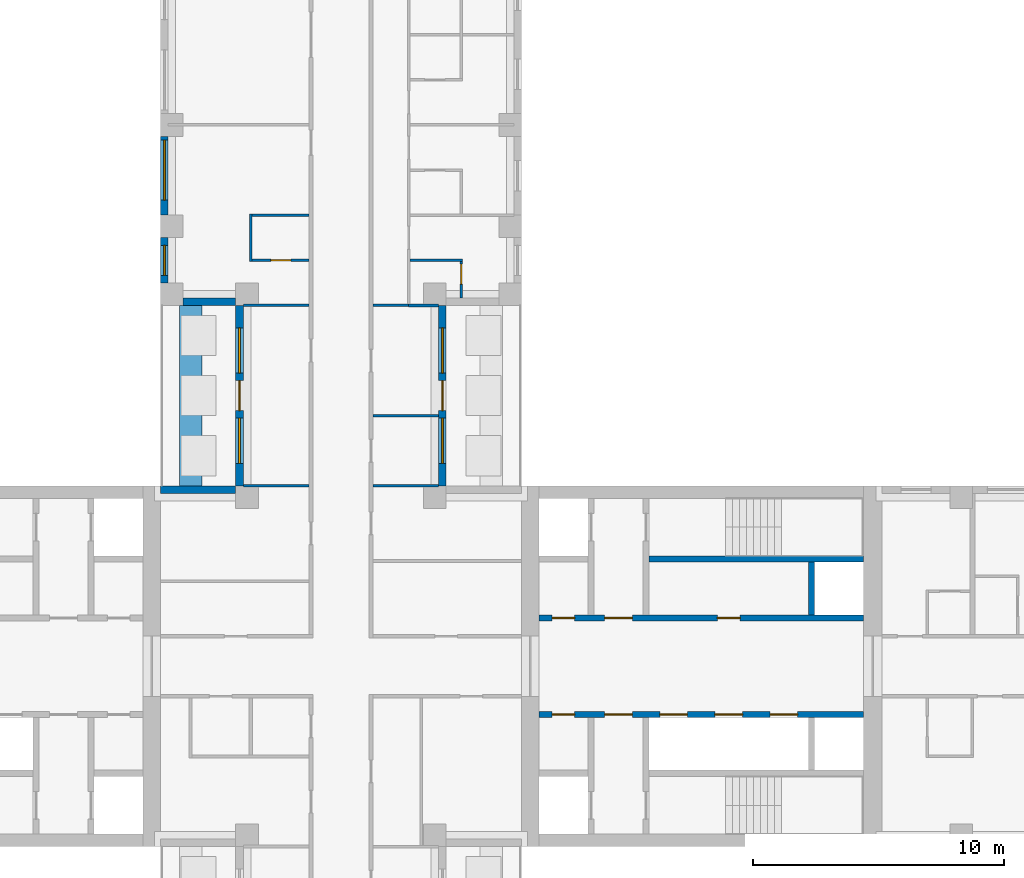
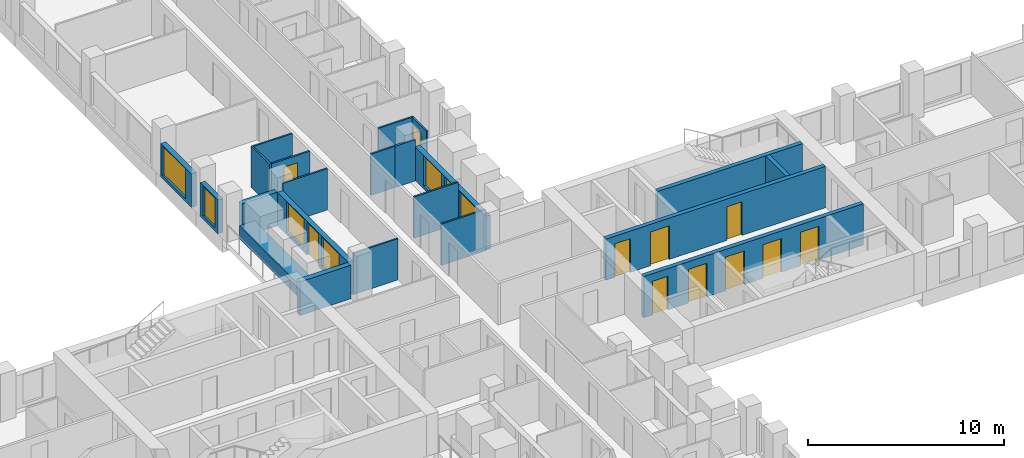
# One storey, part 8 of 15: 22 walls, 12 doors, 6 windows, 18 openings.
"""IFC4 building model written with IfcOpenShell, lengths in metres."""

from ifc_helpers import new_model, si_unit, direction, frame, frame_2d, origin, place, context, subcontext, project, spatial, rectangle, extrude, material, layer, layer_set, type_object, element, fill, save


model = new_model("IFC4")

# Units and contexts
model_context = context("Model", 3, precision=1e-05, world=origin(), true_north=direction((0.0, 1.0)))
body_context = subcontext(model_context, "Body", "Model", "MODEL_VIEW")
ifc_project = project(units=[si_unit("LENGTHUNIT", "METRE"), si_unit("AREAUNIT", "SQUARE_METRE"), si_unit("VOLUMEUNIT", "CUBIC_METRE"), si_unit("PLANEANGLEUNIT", "RADIAN"), si_unit("MASSUNIT", "GRAM", prefix="KILO")], contexts=[model_context])

# Site, building, storey
site_placement = place(None, origin())
site = spatial("IfcSite", under=ifc_project, at=site_placement, CompositionType="ELEMENT")
building_placement = place(site_placement, origin())
building = spatial("IfcBuilding", under=site, at=building_placement, Name="Fustian Cross Tower", CompositionType="ELEMENT")
storey_placement = place(building_placement, frame((0.0, 0.0, 41.699951171875)))
storey = spatial("IfcBuildingStorey", under=building, at=storey_placement, Name="L12", CompositionType="ELEMENT", Elevation=41.699951171875)

# Wall, openings, doors
ifc_material_1 = material(Name="Concrete C50/60", Category="concrete")
ifc_layer_1 = layer(ifc_material_1, 0.25)
ifc_layer_set_1 = layer_set([ifc_layer_1], Name="Concrete C50/60")
wall_type_1 = type_object("IfcWallType", Name="CORE LOBBY WALL 250 C50/60", PredefinedType="SHEAR", material=ifc_layer_set_1)
wall_1_placement = place(storey_placement, frame((7.89990234375, 1.925048828125, 0.0), z_axis=(0.0, 0.0, 1.0), x_axis=(1.0, 0.0, 0.0)))
wall_1 = element("IfcWall", 1, at=wall_1_placement, inside=storey, type_object=wall_type_1, Name="Core lobby wall", PredefinedType="SHEAR", context=body_context, shape_type="SweptSolid", body=[
    extrude(rectangle(XDim=12.9501953125, YDim=0.25, at=frame_2d((6.47509765625, 0.0))), origin(), (0.0, 0.0, 1.0), 2.574951171875),
])
opening_1_placement = place(wall_1_placement, frame((0.52490234375, 0.0, 0.0)))
opening_1 = element("IfcOpeningElement", 2, at=opening_1_placement, cuts=wall_1, Name="Opening CD-04-08", PredefinedType="OPENING", context=body_context, shape_type="SweptSolid", body=[
    extrude(rectangle(XDim=0.89990234375, YDim=2.10009765625, at=frame_2d((0.449951171875, 1.050048828125))), frame((0.0, 0.135009765625, 0.0), z_axis=(0.0, -1.0, 0.0), x_axis=(1.0, 0.0, 0.0)), (0.0, 0.0, 1.0), 0.27001953125),
])
opening_2_placement = place(wall_1_placement, frame((2.625, 0.0, 0.0)))
opening_2 = element("IfcOpeningElement", 3, at=opening_2_placement, cuts=wall_1, Name="Opening CD-04-10", PredefinedType="OPENING", context=body_context, shape_type="SweptSolid", body=[
    extrude(rectangle(XDim=1.10009765625, YDim=2.10009765625, at=frame_2d((0.550048828125, 1.050048828125))), frame((0.0, 0.135009765625, 0.0), z_axis=(0.0, -1.0, 0.0), x_axis=(1.0, 0.0, 0.0)), (0.0, 0.0, 1.0), 0.27001953125),
])
opening_3_placement = place(wall_1_placement, frame((7.125, 0.0, 0.0)))
opening_3 = element("IfcOpeningElement", 4, at=opening_3_placement, cuts=wall_1, Name="Opening CD-04-14", PredefinedType="OPENING", context=body_context, shape_type="SweptSolid", body=[
    extrude(rectangle(XDim=0.89990234375, YDim=2.10009765625, at=frame_2d((0.449951171875, 1.050048828125))), frame((0.0, 0.135009765625, 0.0), z_axis=(0.0, -1.0, 0.0), x_axis=(1.0, 0.0, 0.0)), (0.0, 0.0, 1.0), 0.27001953125),
])
ifc_material_2 = material(Name="Steel", Category="steel")
door_type_1 = type_object("IfcDoorType", Name="FIRE DOOR FD30S 900X2100", OperationType="SINGLE_SWING_LEFT", PredefinedType="DOOR", material=ifc_material_2)
door_1_placement = place(opening_3_placement, origin())
door_1 = element("IfcDoor", 5, at=door_1_placement, inside=storey, type_object=door_type_1, Name="Core door CD-04-14", OperationType="SINGLE_SWING_LEFT", OverallHeight=2.10009765625, OverallWidth=0.89990234375, PredefinedType="DOOR", context=body_context, shape_type="SweptSolid", body=[
    extrude(rectangle(XDim=0.89990234375, YDim=2.10009765625, at=frame_2d((0.449951171875, 1.050048828125))), frame((0.0, 0.02490234375, 0.0), z_axis=(0.0, -1.0, 0.0), x_axis=(1.0, 0.0, 0.0)), (0.0, 0.0, 1.0), 0.050048828125),
])
fill(opening_3, door_1)
ifc_material_3 = material(Name="Steel", Category="steel")
door_type_2 = type_object("IfcDoorType", Name="FIRE DOOR FD60S 1100X2100", OperationType="SINGLE_SWING_LEFT", PredefinedType="DOOR", material=ifc_material_3)
door_2_placement = place(opening_2_placement, frame((1.10009765625, 0.0, 0.0), z_axis=(0.0, 0.0, 1.0), x_axis=(-1.0, 0.0, 0.0)))
door_2 = element("IfcDoor", 6, at=door_2_placement, inside=storey, type_object=door_type_2, Name="Core door CD-04-10", OperationType="SINGLE_SWING_RIGHT", OverallHeight=2.10009765625, OverallWidth=1.10009765625, PredefinedType="DOOR", context=body_context, shape_type="SweptSolid", body=[
    extrude(rectangle(XDim=1.10009765625, YDim=2.10009765625, at=frame_2d((0.550048828125, 1.050048828125))), frame((0.0, 0.02490234375, 0.0), z_axis=(0.0, -1.0, 0.0), x_axis=(1.0, 0.0, 0.0)), (0.0, 0.0, 1.0), 0.050048828125),
])
fill(opening_2, door_2)
ifc_material_4 = material(Name="Steel", Category="steel")
door_type_3 = type_object("IfcDoorType", Name="FIRE DOOR FD60S 900X2100", OperationType="SINGLE_SWING_LEFT", PredefinedType="DOOR", material=ifc_material_4)
door_3_placement = place(opening_1_placement, origin())
door_3 = element("IfcDoor", 7, at=door_3_placement, inside=storey, type_object=door_type_3, Name="Core door CD-04-08", OperationType="SINGLE_SWING_LEFT", OverallHeight=2.10009765625, OverallWidth=0.89990234375, PredefinedType="DOOR", context=body_context, shape_type="SweptSolid", body=[
    extrude(rectangle(XDim=0.89990234375, YDim=2.10009765625, at=frame_2d((0.449951171875, 1.050048828125))), frame((0.0, 0.02490234375, 0.0), z_axis=(0.0, -1.0, 0.0), x_axis=(1.0, 0.0, 0.0)), (0.0, 0.0, 1.0), 0.050048828125),
])
fill(opening_1, door_3)

wall_2_placement = place(storey_placement, frame((7.89990234375, -1.925048828125, 0.0), z_axis=(0.0, 0.0, 1.0), x_axis=(1.0, 0.0, 0.0)))
wall_2 = element("IfcWall", 8, at=wall_2_placement, inside=storey, type_object=wall_type_1, Name="Core lobby wall", PredefinedType="SHEAR", context=body_context, shape_type="SweptSolid", body=[
    extrude(rectangle(XDim=12.9501953125, YDim=0.25, at=frame_2d((6.47509765625, 0.0))), origin(), (0.0, 0.0, 1.0), 2.574951171875),
])
opening_4_placement = place(wall_2_placement, frame((4.824951171875, 0.0, 0.0)))
opening_4 = element("IfcOpeningElement", 9, at=opening_4_placement, cuts=wall_2, Name="Opening LD", PredefinedType="OPENING", context=body_context, shape_type="SweptSolid", body=[
    extrude(rectangle(XDim=1.10009765625, YDim=2.10009765625, at=frame_2d((0.550048828125, 1.050048828125))), frame((0.0, 0.135009765625, 0.0), z_axis=(0.0, -1.0, 0.0), x_axis=(1.0, 0.0, 0.0)), (0.0, 0.0, 1.0), 0.27001953125),
])
opening_5_placement = place(wall_2_placement, frame((7.02490234375, 0.0, 0.0)))
opening_5 = element("IfcOpeningElement", 10, at=opening_5_placement, cuts=wall_2, Name="Opening LD", PredefinedType="OPENING", context=body_context, shape_type="SweptSolid", body=[
    extrude(rectangle(XDim=1.10009765625, YDim=2.10009765625, at=frame_2d((0.550048828125, 1.050048828125))), frame((0.0, 0.135009765625, 0.0), z_axis=(0.0, -1.0, 0.0), x_axis=(1.0, 0.0, 0.0)), (0.0, 0.0, 1.0), 0.27001953125),
])
opening_6_placement = place(wall_2_placement, frame((9.22509765625, 0.0, 0.0)))
opening_6 = element("IfcOpeningElement", 11, at=opening_6_placement, cuts=wall_2, Name="Opening LD", PredefinedType="OPENING", context=body_context, shape_type="SweptSolid", body=[
    extrude(rectangle(XDim=1.10009765625, YDim=2.10009765625, at=frame_2d((0.550048828125, 1.050048828125))), frame((0.0, 0.135009765625, 0.0), z_axis=(0.0, -1.0, 0.0), x_axis=(1.0, 0.0, 0.0)), (0.0, 0.0, 1.0), 0.27001953125),
])
opening_7_placement = place(wall_2_placement, frame((0.52490234375, 0.0, 0.0)))
opening_7 = element("IfcOpeningElement", 12, at=opening_7_placement, cuts=wall_2, Name="Opening CD-04-09", PredefinedType="OPENING", context=body_context, shape_type="SweptSolid", body=[
    extrude(rectangle(XDim=0.89990234375, YDim=2.10009765625, at=frame_2d((0.449951171875, 1.050048828125))), frame((0.0, 0.135009765625, 0.0), z_axis=(0.0, -1.0, 0.0), x_axis=(1.0, 0.0, 0.0)), (0.0, 0.0, 1.0), 0.27001953125),
])
opening_8_placement = place(wall_2_placement, frame((2.625, 0.0, 0.0)))
opening_8 = element("IfcOpeningElement", 13, at=opening_8_placement, cuts=wall_2, Name="Opening CD-04-11", PredefinedType="OPENING", context=body_context, shape_type="SweptSolid", body=[
    extrude(rectangle(XDim=1.10009765625, YDim=2.10009765625, at=frame_2d((0.550048828125, 1.050048828125))), frame((0.0, 0.135009765625, 0.0), z_axis=(0.0, -1.0, 0.0), x_axis=(1.0, 0.0, 0.0)), (0.0, 0.0, 1.0), 0.27001953125),
])
ifc_material_5 = material(Name="Steel", Category="steel")
door_type_4 = type_object("IfcDoorType", Name="FIRE DOOR FD30S 1100X2100", OperationType="SINGLE_SWING_LEFT", PredefinedType="DOOR", material=ifc_material_5)
door_4_placement = place(opening_8_placement, frame((1.10009765625, 0.0, 0.0), z_axis=(0.0, 0.0, 1.0), x_axis=(-1.0, 0.0, 0.0)))
door_4 = element("IfcDoor", 14, at=door_4_placement, inside=storey, type_object=door_type_4, Name="Core door CD-04-11", OperationType="SINGLE_SWING_RIGHT", OverallHeight=2.10009765625, OverallWidth=1.10009765625, PredefinedType="DOOR", context=body_context, shape_type="SweptSolid", body=[
    extrude(rectangle(XDim=1.10009765625, YDim=2.10009765625, at=frame_2d((0.550048828125, 1.050048828125))), frame((0.0, 0.02490234375, 0.0), z_axis=(0.0, -1.0, 0.0), x_axis=(1.0, 0.0, 0.0)), (0.0, 0.0, 1.0), 0.050048828125),
])
fill(opening_8, door_4)
door_5_placement = place(opening_7_placement, frame((0.89990234375, 0.0, 0.0), z_axis=(0.0, 0.0, 1.0), x_axis=(-1.0, 0.0, 0.0)))
door_5 = element("IfcDoor", 15, at=door_5_placement, inside=storey, type_object=door_type_1, Name="Core door CD-04-09", OperationType="SINGLE_SWING_RIGHT", OverallHeight=2.10009765625, OverallWidth=0.89990234375, PredefinedType="DOOR", context=body_context, shape_type="SweptSolid", body=[
    extrude(rectangle(XDim=0.89990234375, YDim=2.10009765625, at=frame_2d((0.449951171875, 1.050048828125))), frame((0.0, 0.02490234375, 0.0), z_axis=(0.0, -1.0, 0.0), x_axis=(1.0, 0.0, 0.0)), (0.0, 0.0, 1.0), 0.050048828125),
])
fill(opening_7, door_5)
ifc_material_6 = material(Name="Stainless steel", Category="steel")
door_type_5 = type_object("IfcDoorType", Name="LIFT LANDING DOOR 1100X2100", OperationType="SLIDING_TO_LEFT", PredefinedType="DOOR", material=ifc_material_6)
door_6_placement = place(opening_4_placement, origin())
door_6 = element("IfcDoor", 16, at=door_6_placement, inside=storey, type_object=door_type_5, Name="Landing door LR1", OperationType="SLIDING_TO_LEFT", OverallHeight=2.10009765625, OverallWidth=1.10009765625, PredefinedType="DOOR", context=body_context, shape_type="SweptSolid", body=[
    extrude(rectangle(XDim=1.10009765625, YDim=2.10009765625, at=frame_2d((0.550048828125, 1.050048828125))), frame((0.0, 0.02490234375, 0.0), z_axis=(0.0, -1.0, 0.0), x_axis=(1.0, 0.0, 0.0)), (0.0, 0.0, 1.0), 0.050048828125),
])
fill(opening_4, door_6)
door_7_placement = place(opening_5_placement, origin())
door_7 = element("IfcDoor", 17, at=door_7_placement, inside=storey, type_object=door_type_5, Name="Landing door LR2", OperationType="SLIDING_TO_LEFT", OverallHeight=2.10009765625, OverallWidth=1.10009765625, PredefinedType="DOOR", context=body_context, shape_type="SweptSolid", body=[
    extrude(rectangle(XDim=1.10009765625, YDim=2.10009765625, at=frame_2d((0.550048828125, 1.050048828125))), frame((0.0, 0.02490234375, 0.0), z_axis=(0.0, -1.0, 0.0), x_axis=(1.0, 0.0, 0.0)), (0.0, 0.0, 1.0), 0.050048828125),
])
fill(opening_5, door_7)
door_8_placement = place(opening_6_placement, origin())
door_8 = element("IfcDoor", 18, at=door_8_placement, inside=storey, type_object=door_type_5, Name="Landing door LR3", OperationType="SLIDING_TO_LEFT", OverallHeight=2.10009765625, OverallWidth=1.10009765625, PredefinedType="DOOR", context=body_context, shape_type="SweptSolid", body=[
    extrude(rectangle(XDim=1.10009765625, YDim=2.10009765625, at=frame_2d((0.550048828125, 1.050048828125))), frame((0.0, 0.02490234375, 0.0), z_axis=(0.0, -1.0, 0.0), x_axis=(1.0, 0.0, 0.0)), (0.0, 0.0, 1.0), 0.050048828125),
])
fill(opening_6, door_8)

# Walls
ifc_material_7 = material(Name="Concrete C50/60", Category="concrete")
ifc_layer_2 = layer(ifc_material_7, 0.25)
ifc_layer_set_2 = layer_set([ifc_layer_2], Name="Concrete C50/60")
wall_type_2 = type_object("IfcWallType", Name="CORE SHAFT WALL 250 C50/60", PredefinedType="SHEAR", material=ifc_layer_set_2)
wall_3_placement = place(storey_placement, frame((12.300048828125, 4.27490234375, 0.0), z_axis=(0.0, 0.0, 1.0), x_axis=(1.0, 0.0, 0.0)))
element("IfcWall", 19, at=wall_3_placement, inside=storey, type_object=wall_type_2, Name="Core shaft wall", PredefinedType="SHEAR", context=body_context, shape_type="SweptSolid", body=[
    extrude(rectangle(XDim=8.550048828125, YDim=0.25, at=frame_2d((4.27490234375, 0.0))), origin(), (0.0, 0.0, 1.0), 2.574951171875),
])
ifc_material_8 = material(Name="Plasterboard on steel stud", Category="steel")
ifc_layer_3 = layer(ifc_material_8, 0.10009765625)
ifc_layer_set_3 = layer_set([ifc_layer_3], Name="Plasterboard on steel stud")
wall_type_3 = type_object("IfcWallType", Name="PARTITION 100 STUD", PredefinedType="PARTITIONING", material=ifc_layer_set_3)
for number, where, z_axis, x_axis, name in (
    (20, (-3.89990234375, 7.199951171875, 0.0), (0.0, 0.0, 1.0), (1.0, 0.0, 0.0), "Partition 27"),
    (21, (-3.89990234375, 14.39990234375, 0.0), (0.0, 0.0, 1.0), (1.0, 0.0, 0.0), "Partition 28"),
):
    element("IfcWall", number, at=place(storey_placement, frame(where, z_axis=z_axis, x_axis=x_axis)), inside=storey, type_object=wall_type_3, Name=name, PredefinedType="PARTITIONING", context=body_context, shape_type="SweptSolid", body=[
        extrude(rectangle(XDim=2.625, YDim=0.10009765625, at=frame_2d((1.3125, 0.0))), origin(), (0.0, 0.0, 1.0), 2.574951171875),
    ])
wall_4_placement = place(storey_placement, frame((-3.60009765625, 16.14990234375, 0.0), z_axis=(0.0, 0.0, 1.0), x_axis=(0.0, 1.0, 0.0)))
element("IfcWall", 22, at=wall_4_placement, inside=storey, type_object=wall_type_3, Name="Partition 33", PredefinedType="PARTITIONING", context=body_context, shape_type="SweptSolid", body=[
    extrude(rectangle(XDim=1.900146484375, YDim=0.10009765625, at=frame_2d((0.9501953125, 0.0))), origin(), (0.0, 0.0, 1.0), 2.574951171875),
])

# Wall, opening, door
wall_5_placement = place(storey_placement, frame((-3.550048828125, 16.199951171875, 0.0), z_axis=(0.0, 0.0, 1.0), x_axis=(1.0, 0.0, 0.0)))
wall_5 = element("IfcWall", 23, at=wall_5_placement, inside=storey, type_object=wall_type_3, Name="Partition 34", PredefinedType="PARTITIONING", context=body_context, shape_type="SweptSolid", body=[
    extrude(rectangle(XDim=2.275146484375, YDim=0.10009765625, at=frame_2d((1.1376953125, 0.0))), origin(), (0.0, 0.0, 1.0), 2.574951171875),
])
opening_9_placement = place(wall_5_placement, frame((0.75, 0.0, 0.0)))
opening_9 = element("IfcOpeningElement", 24, at=opening_9_placement, cuts=wall_5, Name="Opening D07021", PredefinedType="OPENING", context=body_context, shape_type="SweptSolid", body=[
    extrude(rectangle(XDim=0.800048828125, YDim=2.10009765625, at=frame_2d((0.39990234375, 1.050048828125))), frame((0.0, 0.06005859375, 0.0), z_axis=(0.0, -1.0, 0.0), x_axis=(1.0, 0.0, 0.0)), (0.0, 0.0, 1.0), 0.1201171875),
])
ifc_material_9 = material(Name="Painted timber", Category="wood")
door_type_6 = type_object("IfcDoorType", Name="SWING DOOR 800", OperationType="SINGLE_SWING_LEFT", PredefinedType="DOOR", material=ifc_material_9)
door_9_placement = place(opening_9_placement, origin())
door_9 = element("IfcDoor", 25, at=door_9_placement, inside=storey, type_object=door_type_6, Name="Door D07021", OperationType="SINGLE_SWING_LEFT", OverallHeight=2.10009765625, OverallWidth=0.800048828125, PredefinedType="DOOR", context=body_context, shape_type="SweptSolid", body=[
    extrude(rectangle(XDim=0.800048828125, YDim=2.10009765625, at=frame_2d((0.39990234375, 1.050048828125))), frame((0.0, 0.02490234375, 0.0), z_axis=(0.0, -1.0, 0.0), x_axis=(1.0, 0.0, 0.0)), (0.0, 0.0, 1.0), 0.050048828125),
])
fill(opening_9, door_9)

# Walls
wall_6_placement = place(storey_placement, frame((-3.550048828125, 18.0, 0.0), z_axis=(0.0, 0.0, 1.0), x_axis=(1.0, 0.0, 0.0)))
element("IfcWall", 26, at=wall_6_placement, inside=storey, type_object=wall_type_3, Name="Partition 35", PredefinedType="PARTITIONING", context=body_context, shape_type="SweptSolid", body=[
    extrude(rectangle(XDim=2.275146484375, YDim=0.10009765625, at=frame_2d((1.1376953125, 0.0))), origin(), (0.0, 0.0, 1.0), 2.574951171875),
])
for number, where, z_axis, x_axis, name in (
    (27, (1.27490234375, 7.199951171875, 0.0), (0.0, 0.0, 1.0), (1.0, 0.0, 0.0), "Partition 55"),
    (28, (1.27490234375, 10.0, 0.0), (0.0, 0.0, 1.0), (1.0, 0.0, 0.0), "Partition 56"),
):
    element("IfcWall", number, at=place(storey_placement, frame(where, z_axis=z_axis, x_axis=x_axis)), inside=storey, type_object=wall_type_3, Name=name, PredefinedType="PARTITIONING", context=body_context, shape_type="SweptSolid", body=[
        extrude(rectangle(XDim=2.625, YDim=0.10009765625, at=frame_2d((1.3125, 0.0))), origin(), (0.0, 0.0, 1.0), 2.574951171875),
    ])
wall_7_placement = place(storey_placement, frame((1.27490234375, 14.39990234375, 0.0), z_axis=(0.0, 0.0, 1.0), x_axis=(1.0, 0.0, 0.0)))
element("IfcWall", 29, at=wall_7_placement, inside=storey, type_object=wall_type_3, Name="Partition 57", PredefinedType="PARTITIONING", context=body_context, shape_type="SweptSolid", body=[
    extrude(rectangle(XDim=1.425048828125, YDim=0.10009765625, at=frame_2d((0.71240234375, 0.0))), origin(), (0.0, 0.0, 1.0), 2.574951171875),
])
wall_8_placement = place(storey_placement, frame((2.75, 16.199951171875, 0.0), z_axis=(0.0, 0.0, 1.0), x_axis=(1.0, 0.0, 0.0)))
element("IfcWall", 30, at=wall_8_placement, inside=storey, type_object=wall_type_3, Name="Partition 61", PredefinedType="PARTITIONING", context=body_context, shape_type="SweptSolid", body=[
    extrude(rectangle(XDim=2.10009765625, YDim=0.10009765625, at=frame_2d((1.050048828125, 0.0))), origin(), (0.0, 0.0, 1.0), 2.574951171875),
])

# Wall, opening, door
wall_9_placement = place(storey_placement, frame((4.800048828125, 14.699951171875, 0.0), z_axis=(0.0, 0.0, 1.0), x_axis=(0.0, 1.0, 0.0)))
wall_9 = element("IfcWall", 31, at=wall_9_placement, inside=storey, type_object=wall_type_3, Name="Partition 73", PredefinedType="PARTITIONING", context=body_context, shape_type="SweptSolid", body=[
    extrude(rectangle(XDim=1.449951171875, YDim=0.10009765625, at=frame_2d((0.72509765625, 0.0))), origin(), (0.0, 0.0, 1.0), 2.574951171875),
])
opening_10_placement = place(wall_9_placement, frame((0.550048828125, 0.0, 0.0)))
opening_10 = element("IfcOpeningElement", 32, at=opening_10_placement, cuts=wall_9, Name="Opening D07036", PredefinedType="OPENING", context=body_context, shape_type="SweptSolid", body=[
    extrude(rectangle(XDim=0.800048828125, YDim=2.10009765625, at=frame_2d((0.39990234375, 1.050048828125))), frame((0.0, 0.06005859375, 0.0), z_axis=(0.0, -1.0, 0.0), x_axis=(1.0, 0.0, 0.0)), (0.0, 0.0, 1.0), 0.1201171875),
])
door_10_placement = place(opening_10_placement, frame((0.800048828125, 0.0, 0.0), z_axis=(0.0, 0.0, 1.0), x_axis=(-1.0, 0.0, 0.0)))
door_10 = element("IfcDoor", 33, at=door_10_placement, inside=storey, type_object=door_type_6, Name="Door D07036", OperationType="SINGLE_SWING_RIGHT", OverallHeight=2.10009765625, OverallWidth=0.800048828125, PredefinedType="DOOR", context=body_context, shape_type="SweptSolid", body=[
    extrude(rectangle(XDim=0.800048828125, YDim=2.10009765625, at=frame_2d((0.39990234375, 1.050048828125))), frame((0.0, 0.02490234375, 0.0), z_axis=(0.0, -1.0, 0.0), x_axis=(1.0, 0.0, 0.0)), (0.0, 0.0, 1.0), 0.050048828125),
])
fill(opening_10, door_10)

# Walls
ifc_material_10 = material(Name="Concrete C40/50", Category="concrete")
ifc_layer_4 = layer(ifc_material_10, 0.89990234375)
ifc_layer_set_4 = layer_set([ifc_layer_4], Name="Concrete C40/50")
wall_type_4 = type_object("IfcWallType", Name="PK1 PLANTER 900", PredefinedType="PARAPET", material=ifc_layer_set_4)
wall_10_placement = place(storey_placement, frame((-6.0, 7.199951171875, 0.0), z_axis=(0.0, 0.0, 1.0), x_axis=(0.0, 1.0, 0.0)))
element("IfcWall", 34, at=wall_10_placement, inside=storey, type_object=wall_type_4, Name="PLANTER", PredefinedType="PARAPET", context=body_context, shape_type="SweptSolid", body=[
    extrude(rectangle(XDim=7.199951171875, YDim=0.89990234375, at=frame_2d((3.60009765625, 0.0))), origin(), (0.0, 0.0, 1.0), 0.800048828125),
])
ifc_material_11 = material(Name="Concrete C40/50", Category="concrete")
ifc_layer_5 = layer(ifc_material_11, 0.25)
ifc_layer_set_5 = layer_set([ifc_layer_5], Name="Concrete C40/50")
wall_type_5 = type_object("IfcWallType", Name="SHAFT PARTITION WALL 250 C40/50", PredefinedType="PARTITIONING", material=ifc_layer_set_5)
wall_11_placement = place(storey_placement, frame((18.77490234375, 2.050048828125, 0.0), z_axis=(0.0, 0.0, 1.0), x_axis=(0.0, 1.0, 0.0)))
element("IfcWall", 35, at=wall_11_placement, inside=storey, type_object=wall_type_5, Name="Core shaft wall", PredefinedType="PARTITIONING", context=body_context, shape_type="SweptSolid", body=[
    extrude(rectangle(XDim=2.099853515625, YDim=0.25, at=frame_2d((1.0498046875, 0.0))), origin(), (0.0, 0.0, 1.0), 2.574951171875),
])
ifc_material_12 = material(Name="Plasterboard on steel stud", Category="steel")
ifc_layer_6 = layer(ifc_material_12, 0.125)
ifc_layer_set_6 = layer_set([ifc_layer_6], Name="Plasterboard on steel stud")
wall_type_6 = type_object("IfcWallType", Name="WET WALL 125 STUD", PredefinedType="PARTITIONING", material=ifc_layer_set_6)
wall_12_placement = place(storey_placement, frame((2.699951171875, 14.39990234375, 0.0), z_axis=(0.0, 0.0, 1.0), x_axis=(1.0, 0.0, 0.0)))
element("IfcWall", 36, at=wall_12_placement, inside=storey, type_object=wall_type_6, Name="Partition 60", PredefinedType="PARTITIONING", context=body_context, shape_type="SweptSolid", body=[
    extrude(rectangle(XDim=1.199951171875, YDim=0.125, at=frame_2d((0.60009765625, 0.0))), origin(), (0.0, 0.0, 1.0), 2.574951171875),
])

# Wall, openings, door, windows
ifc_material_13 = material(Name="Dark aluminium cladding on insulated backing wall", Category="aluminium")
ifc_layer_7 = layer(ifc_material_13, 0.300048828125)
ifc_layer_set_7 = layer_set([ifc_layer_7], Name="Dark aluminium cladding on insulated backing wall")
wall_type_7 = type_object("IfcWallType", Name="XW1 EXTERNAL WALL 300", PredefinedType="SOLIDWALL", material=ifc_layer_set_7)
wall_13_placement = place(storey_placement, frame((4.050048828125, 7.199951171875, 0.0), z_axis=(0.0, 0.0, 1.0), x_axis=(0.0, 1.0, 0.0)))
wall_13 = element("IfcWall", 37, at=wall_13_placement, inside=storey, type_object=wall_type_7, Name="External wall", PredefinedType="SOLIDWALL", context=body_context, shape_type="SweptSolid", body=[
    extrude(rectangle(XDim=7.199951171875, YDim=0.300048828125, at=frame_2d((3.60009765625, 0.0))), origin(), (0.0, 0.0, 1.0), 2.10009765625),
])
opening_11_placement = place(wall_13_placement, frame((3.0, 0.0, 0.0)))
opening_11 = element("IfcOpeningElement", 38, at=opening_11_placement, cuts=wall_13, Name="Opening XD1", PredefinedType="OPENING", context=body_context, shape_type="SweptSolid", body=[
    extrude(rectangle(XDim=1.199951171875, YDim=2.050048828125, at=frame_2d((0.60009765625, 1.02490234375))), frame((0.0, 0.159912109375, 0.0), z_axis=(0.0, -1.0, 0.0), x_axis=(1.0, 0.0, 0.0)), (0.0, 0.0, 1.0), 0.320068359375),
])
opening_12_placement = place(wall_13_placement, frame((0.89990234375, 0.0, 0.199951171875)))
opening_12 = element("IfcOpeningElement", 39, at=opening_12_placement, cuts=wall_13, Name="Opening WN2", PredefinedType="OPENING", context=body_context, shape_type="SweptSolid", body=[
    extrude(rectangle(XDim=1.800048828125, YDim=1.85009765625, at=frame_2d((0.89990234375, 0.925048828125))), frame((0.0, 0.159912109375, 0.0), z_axis=(0.0, -1.0, 0.0), x_axis=(1.0, 0.0, 0.0)), (0.0, 0.0, 1.0), 0.320068359375),
])
opening_13_placement = place(wall_13_placement, frame((4.5, 0.0, 0.199951171875)))
opening_13 = element("IfcOpeningElement", 40, at=opening_13_placement, cuts=wall_13, Name="Opening WN2", PredefinedType="OPENING", context=body_context, shape_type="SweptSolid", body=[
    extrude(rectangle(XDim=1.800048828125, YDim=1.85009765625, at=frame_2d((0.89990234375, 0.925048828125))), frame((0.0, 0.159912109375, 0.0), z_axis=(0.0, -1.0, 0.0), x_axis=(1.0, 0.0, 0.0)), (0.0, 0.0, 1.0), 0.320068359375),
])
ifc_material_14 = material(Name="Dark anodised aluminium and double glazing", Category="aluminium")
door_type_7 = type_object("IfcDoorType", Name="ED1 BALCONY DOOR 1200X2050", OperationType="SINGLE_SWING_LEFT", PredefinedType="DOOR", material=ifc_material_14)
door_11_placement = place(opening_11_placement, origin())
door_11 = element("IfcDoor", 41, at=door_11_placement, inside=storey, type_object=door_type_7, Name="Balcony door", OperationType="SINGLE_SWING_LEFT", OverallHeight=2.050048828125, OverallWidth=1.199951171875, PredefinedType="DOOR", context=body_context, shape_type="SweptSolid", body=[
    extrude(rectangle(XDim=1.199951171875, YDim=2.050048828125, at=frame_2d((0.60009765625, 1.02490234375))), frame((0.0, 0.02490234375, 0.0), z_axis=(0.0, -1.0, 0.0), x_axis=(1.0, 0.0, 0.0)), (0.0, 0.0, 1.0), 0.050048828125),
])
fill(opening_11, door_11)
ifc_material_15 = material(Name="Dark anodised aluminium and double glazing", Category="aluminium")
window_type_1 = type_object("IfcWindowType", Name="WN2 WINDOW 1800X1850", PartitioningType="SINGLE_PANEL", PredefinedType="WINDOW", material=ifc_material_15)
window_1_placement = place(opening_12_placement, origin())
window_1 = element("IfcWindow", 42, at=window_1_placement, inside=storey, type_object=window_type_1, Name="Window", OverallHeight=1.85009765625, OverallWidth=1.800048828125, PartitioningType="SINGLE_PANEL", PredefinedType="WINDOW", context=body_context, shape_type="SweptSolid", body=[
    extrude(rectangle(XDim=1.800048828125, YDim=1.85009765625, at=frame_2d((0.89990234375, 0.925048828125))), frame((0.0, 0.030029296875, 0.0), z_axis=(0.0, -1.0, 0.0), x_axis=(1.0, 0.0, 0.0)), (0.0, 0.0, 1.0), 0.06005859375),
])
fill(opening_12, window_1)
window_2_placement = place(opening_13_placement, origin())
window_2 = element("IfcWindow", 43, at=window_2_placement, inside=storey, type_object=window_type_1, Name="Window", OverallHeight=1.85009765625, OverallWidth=1.800048828125, PartitioningType="SINGLE_PANEL", PredefinedType="WINDOW", context=body_context, shape_type="SweptSolid", body=[
    extrude(rectangle(XDim=1.800048828125, YDim=1.85009765625, at=frame_2d((0.89990234375, 0.925048828125))), frame((0.0, 0.030029296875, 0.0), z_axis=(0.0, -1.0, 0.0), x_axis=(1.0, 0.0, 0.0)), (0.0, 0.0, 1.0), 0.06005859375),
])
fill(opening_13, window_2)

# Wall, opening, window
wall_14_placement = place(storey_placement, frame((-7.050048828125, 21.14990234375, 0.0), z_axis=(0.0, 0.0, 1.0), x_axis=(0.0, -1.0, 0.0)))
wall_14 = element("IfcWall", 44, at=wall_14_placement, inside=storey, type_object=wall_type_7, Name="External wall", PredefinedType="SOLIDWALL", context=body_context, shape_type="SweptSolid", body=[
    extrude(rectangle(XDim=3.14990234375, YDim=0.300048828125, at=frame_2d((1.574951171875, 0.0))), origin(), (0.0, 0.0, 1.0), 2.10009765625),
])
opening_14_placement = place(wall_14_placement, frame((0.14990234375, 0.0, 0.199951171875)))
opening_14 = element("IfcOpeningElement", 45, at=opening_14_placement, cuts=wall_14, Name="Opening WN1", PredefinedType="OPENING", context=body_context, shape_type="SweptSolid", body=[
    extrude(rectangle(XDim=2.39990234375, YDim=1.85009765625, at=frame_2d((1.199951171875, 0.925048828125))), frame((0.0, 0.159912109375, 0.0), z_axis=(0.0, -1.0, 0.0), x_axis=(1.0, 0.0, 0.0)), (0.0, 0.0, 1.0), 0.320068359375),
])
ifc_material_16 = material(Name="Dark anodised aluminium and double glazing", Category="aluminium")
window_type_2 = type_object("IfcWindowType", Name="WN1 WINDOW 2400X1850", PartitioningType="SINGLE_PANEL", PredefinedType="WINDOW", material=ifc_material_16)
window_3_placement = place(opening_14_placement, origin())
window_3 = element("IfcWindow", 46, at=window_3_placement, inside=storey, type_object=window_type_2, Name="Window", OverallHeight=1.85009765625, OverallWidth=2.39990234375, PartitioningType="SINGLE_PANEL", PredefinedType="WINDOW", context=body_context, shape_type="SweptSolid", body=[
    extrude(rectangle(XDim=2.39990234375, YDim=1.85009765625, at=frame_2d((1.199951171875, 0.925048828125))), frame((0.0, 0.030029296875, 0.0), z_axis=(0.0, -1.0, 0.0), x_axis=(1.0, 0.0, 0.0)), (0.0, 0.0, 1.0), 0.06005859375),
])
fill(opening_14, window_3)

wall_15_placement = place(storey_placement, frame((-7.050048828125, 17.10009765625, 0.0), z_axis=(0.0, 0.0, 1.0), x_axis=(0.0, -1.0, 0.0)))
wall_15 = element("IfcWall", 47, at=wall_15_placement, inside=storey, type_object=wall_type_7, Name="External wall", PredefinedType="SOLIDWALL", context=body_context, shape_type="SweptSolid", body=[
    extrude(rectangle(XDim=1.800048828125, YDim=0.300048828125, at=frame_2d((0.89990234375, 0.0))), origin(), (0.0, 0.0, 1.0), 2.10009765625),
])
opening_15_placement = place(wall_15_placement, frame((0.300048828125, 0.0, 0.199951171875)))
opening_15 = element("IfcOpeningElement", 48, at=opening_15_placement, cuts=wall_15, Name="Opening WN3", PredefinedType="OPENING", context=body_context, shape_type="SweptSolid", body=[
    extrude(rectangle(XDim=1.199951171875, YDim=1.85009765625, at=frame_2d((0.60009765625, 0.925048828125))), frame((0.0, 0.159912109375, 0.0), z_axis=(0.0, -1.0, 0.0), x_axis=(1.0, 0.0, 0.0)), (0.0, 0.0, 1.0), 0.320068359375),
])
ifc_material_17 = material(Name="Dark anodised aluminium and double glazing", Category="aluminium")
window_type_3 = type_object("IfcWindowType", Name="WN3 WINDOW 1200X1850", PartitioningType="SINGLE_PANEL", PredefinedType="WINDOW", material=ifc_material_17)
window_4_placement = place(opening_15_placement, origin())
window_4 = element("IfcWindow", 49, at=window_4_placement, inside=storey, type_object=window_type_3, Name="Window", OverallHeight=1.85009765625, OverallWidth=1.199951171875, PartitioningType="SINGLE_PANEL", PredefinedType="WINDOW", context=body_context, shape_type="SweptSolid", body=[
    extrude(rectangle(XDim=1.199951171875, YDim=1.85009765625, at=frame_2d((0.60009765625, 0.925048828125))), frame((0.0, 0.030029296875, 0.0), z_axis=(0.0, -1.0, 0.0), x_axis=(1.0, 0.0, 0.0)), (0.0, 0.0, 1.0), 0.06005859375),
])
fill(opening_15, window_4)

# Wall
wall_16_placement = place(storey_placement, frame((-6.300048828125, 14.550048828125, 0.0), z_axis=(0.0, 0.0, 1.0), x_axis=(1.0, 0.0, 0.0)))
element("IfcWall", 50, at=wall_16_placement, inside=storey, type_object=wall_type_7, Name="External wall", PredefinedType="SOLIDWALL", context=body_context, shape_type="SweptSolid", body=[
    extrude(rectangle(XDim=2.10009765625, YDim=0.300048828125, at=frame_2d((1.050048828125, 0.0))), origin(), (0.0, 0.0, 1.0), 2.10009765625),
])

# Wall, openings, door, windows
wall_17_placement = place(storey_placement, frame((-4.050048828125, 14.39990234375, 0.0), z_axis=(0.0, 0.0, 1.0), x_axis=(0.0, -1.0, 0.0)))
wall_17 = element("IfcWall", 51, at=wall_17_placement, inside=storey, type_object=wall_type_7, Name="External wall", PredefinedType="SOLIDWALL", context=body_context, shape_type="SweptSolid", body=[
    extrude(rectangle(XDim=7.199951171875, YDim=0.300048828125, at=frame_2d((3.60009765625, 0.0))), origin(), (0.0, 0.0, 1.0), 2.10009765625),
])
opening_16_placement = place(wall_17_placement, frame((3.0, 0.0, 0.0)))
opening_16 = element("IfcOpeningElement", 52, at=opening_16_placement, cuts=wall_17, Name="Opening XD2", PredefinedType="OPENING", context=body_context, shape_type="SweptSolid", body=[
    extrude(rectangle(XDim=1.199951171875, YDim=2.050048828125, at=frame_2d((0.60009765625, 1.02490234375))), frame((0.0, 0.159912109375, 0.0), z_axis=(0.0, -1.0, 0.0), x_axis=(1.0, 0.0, 0.0)), (0.0, 0.0, 1.0), 0.320068359375),
])
opening_17_placement = place(wall_17_placement, frame((0.89990234375, 0.0, 0.199951171875)))
opening_17 = element("IfcOpeningElement", 53, at=opening_17_placement, cuts=wall_17, Name="Opening WN2", PredefinedType="OPENING", context=body_context, shape_type="SweptSolid", body=[
    extrude(rectangle(XDim=1.800048828125, YDim=1.85009765625, at=frame_2d((0.89990234375, 0.925048828125))), frame((0.0, 0.159912109375, 0.0), z_axis=(0.0, -1.0, 0.0), x_axis=(1.0, 0.0, 0.0)), (0.0, 0.0, 1.0), 0.320068359375),
])
opening_18_placement = place(wall_17_placement, frame((4.5, 0.0, 0.199951171875)))
opening_18 = element("IfcOpeningElement", 54, at=opening_18_placement, cuts=wall_17, Name="Opening WN2", PredefinedType="OPENING", context=body_context, shape_type="SweptSolid", body=[
    extrude(rectangle(XDim=1.800048828125, YDim=1.85009765625, at=frame_2d((0.89990234375, 0.925048828125))), frame((0.0, 0.159912109375, 0.0), z_axis=(0.0, -1.0, 0.0), x_axis=(1.0, 0.0, 0.0)), (0.0, 0.0, 1.0), 0.320068359375),
])
door_12_placement = place(opening_16_placement, origin())
door_12 = element("IfcDoor", 55, at=door_12_placement, inside=storey, type_object=door_type_7, Name="Balcony door", OperationType="SINGLE_SWING_LEFT", OverallHeight=2.050048828125, OverallWidth=1.199951171875, PredefinedType="DOOR", context=body_context, shape_type="SweptSolid", body=[
    extrude(rectangle(XDim=1.199951171875, YDim=2.050048828125, at=frame_2d((0.60009765625, 1.02490234375))), frame((0.0, 0.02490234375, 0.0), z_axis=(0.0, -1.0, 0.0), x_axis=(1.0, 0.0, 0.0)), (0.0, 0.0, 1.0), 0.050048828125),
])
fill(opening_16, door_12)
window_5_placement = place(opening_17_placement, origin())
window_5 = element("IfcWindow", 56, at=window_5_placement, inside=storey, type_object=window_type_1, Name="Window", OverallHeight=1.85009765625, OverallWidth=1.800048828125, PartitioningType="SINGLE_PANEL", PredefinedType="WINDOW", context=body_context, shape_type="SweptSolid", body=[
    extrude(rectangle(XDim=1.800048828125, YDim=1.85009765625, at=frame_2d((0.89990234375, 0.925048828125))), frame((0.0, 0.030029296875, 0.0), z_axis=(0.0, -1.0, 0.0), x_axis=(1.0, 0.0, 0.0)), (0.0, 0.0, 1.0), 0.06005859375),
])
fill(opening_17, window_5)
window_6_placement = place(opening_18_placement, origin())
window_6 = element("IfcWindow", 57, at=window_6_placement, inside=storey, type_object=window_type_1, Name="Window", OverallHeight=1.85009765625, OverallWidth=1.800048828125, PartitioningType="SINGLE_PANEL", PredefinedType="WINDOW", context=body_context, shape_type="SweptSolid", body=[
    extrude(rectangle(XDim=1.800048828125, YDim=1.85009765625, at=frame_2d((0.89990234375, 0.925048828125))), frame((0.0, 0.030029296875, 0.0), z_axis=(0.0, -1.0, 0.0), x_axis=(1.0, 0.0, 0.0)), (0.0, 0.0, 1.0), 0.06005859375),
])
fill(opening_18, window_6)

# Wall
wall_18_placement = place(storey_placement, frame((-4.199951171875, 7.050048828125, 0.0), z_axis=(0.0, 0.0, 1.0), x_axis=(-1.0, 0.0, 0.0)))
element("IfcWall", 58, at=wall_18_placement, inside=storey, type_object=wall_type_7, Name="External wall", PredefinedType="SOLIDWALL", context=body_context, shape_type="SweptSolid", body=[
    extrude(rectangle(XDim=3.0, YDim=0.300048828125, at=frame_2d((1.5, 0.0))), origin(), (0.0, 0.0, 1.0), 2.10009765625),
])

save(model, "model.ifc")
